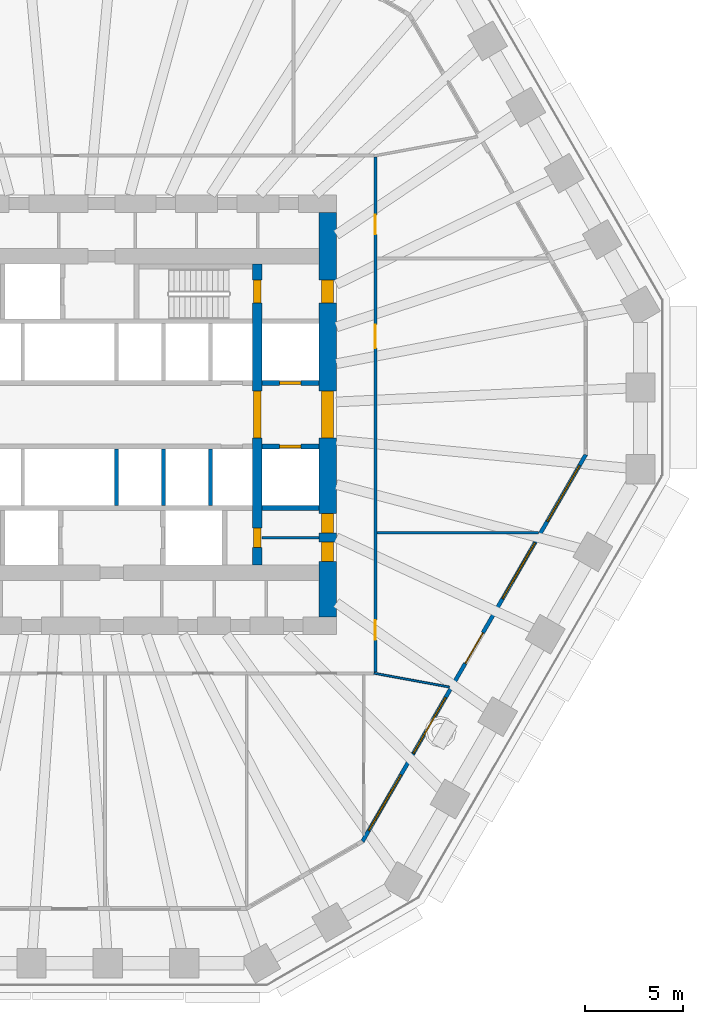
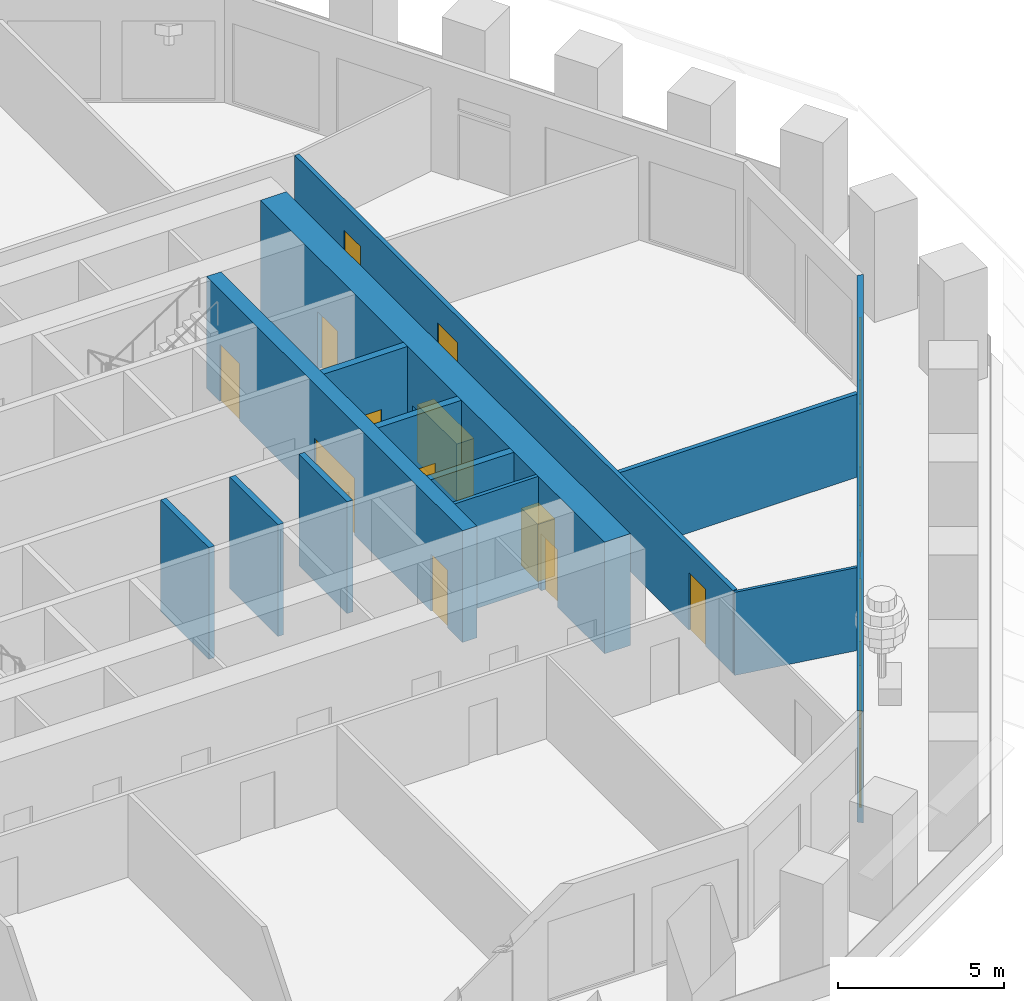
# One storey, part 5 of 12: 13 doors, 13 walls, 5 windows, 18 openings.
"""IFC4 building model written with IfcOpenShell, lengths in metres."""

import ifcopenshell
import ifcopenshell.guid

model = None  # the IFC model being written
_history = None  # IfcOwnerHistory: only IFC2X3 demands one
_inside = {}  # id of a spatial element -> (the spatial element, [elements in it])
_under = {}  # id of a project, library or spatial element -> (it, [spatial elements below it])
_declared = {}  # id of a project -> (the project, [libraries it declares])
_typed = {}  # id of a type object -> (the type object, [elements of that type])
_made_of = {}  # id of a material, layer set ... -> (it, [elements and type objects made of it])


def new_model(schema):
    """Start an empty IFC model of exactly this schema.

    Asked for "IFC4X3", IfcOpenShell would pick the latest addendum, in which some entities
    have other attributes; the version numbers below select the first issue.
    IFC2X3 requires an IfcOwnerHistory on every rooted entity: one is made here for all.
    """
    global model, _history
    if schema == "IFC4X3":
        model = ifcopenshell.file(schema_version=(4, 3, 0, 0))
    else:
        model = ifcopenshell.file(schema=schema)
    _inside.clear()
    _under.clear()
    _declared.clear()
    _typed.clear()
    _made_of.clear()
    _history = None
    if model.schema == "IFC2X3":
        org = make("IfcOrganization", Name="unknown")
        user = make(
            "IfcPersonAndOrganization",
            ThePerson=make("IfcPerson", FamilyName="unknown"),
            TheOrganization=org,
        )
        app = make(
            "IfcApplication",
            ApplicationDeveloper=org,
            Version="unknown",
            ApplicationFullName="unknown",
            ApplicationIdentifier="unknown",
        )
        _history = make(
            "IfcOwnerHistory",
            OwningUser=user,
            OwningApplication=app,
            ChangeAction="ADDED",
            CreationDate=0,
        )
    return model


def make(cls, **values):
    """One entity of the class cls with the attributes given. An attribute that is None is left unset."""
    return model.create_entity(
        cls, **{name: value for name, value in values.items() if value is not None}
    )


def rooted(cls, **values):
    """An entity with a GlobalId (a new one), such as an element, a storey or a relation."""
    return make(cls, GlobalId=ifcopenshell.guid.new(), OwnerHistory=_history, **values)


def si_unit(unit_type, name, prefix=None):
    """IfcSIUnit, for example si_unit("LENGTHUNIT", "METRE", prefix="MILLI")."""
    return make("IfcSIUnit", UnitType=unit_type, Prefix=prefix, Name=name)


def assignment(units):
    """IfcUnitAssignment: the units of a project."""
    return None if units is None else make("IfcUnitAssignment", Units=units)


def point(xyz):
    """IfcCartesianPoint."""
    return None if xyz is None else make("IfcCartesianPoint", Coordinates=xyz)


def direction(xyz):
    """IfcDirection."""
    return None if xyz is None else make("IfcDirection", DirectionRatios=xyz)


def frame(location, z_axis=None, x_axis=None):
    """IfcAxis2Placement3D, a coordinate frame: its origin and axes. An axis left out is left unset."""
    return make(
        "IfcAxis2Placement3D",
        Location=point(location),
        Axis=direction(z_axis),
        RefDirection=direction(x_axis),
    )


def frame_2d(location, x_axis=None):
    """IfcAxis2Placement2D, a coordinate frame in the plane: its origin and x axis."""
    return make(
        "IfcAxis2Placement2D", Location=point(location), RefDirection=direction(x_axis)
    )


def origin():
    """The frame at (0, 0, 0) with its axes left unset."""
    return frame((0.0, 0.0, 0.0))


def place(relative_to, where):
    """IfcLocalPlacement: puts the frame where relative to a parent placement (None: the world)."""
    return make(
        "IfcLocalPlacement", PlacementRelTo=relative_to, RelativePlacement=where
    )


def context(
    kind, dimensions, precision=None, world=None, true_north=None, identifier=None
):
    """IfcGeometricRepresentationContext, for example the 3D "Model" context."""
    return make(
        "IfcGeometricRepresentationContext",
        ContextIdentifier=identifier,
        ContextType=kind,
        CoordinateSpaceDimension=dimensions,
        Precision=precision,
        WorldCoordinateSystem=world,
        TrueNorth=true_north,
    )


def subcontext(parent, identifier, kind, view, scale=None):
    """IfcGeometricRepresentationSubContext, for example "Body" below "Model"."""
    return make(
        "IfcGeometricRepresentationSubContext",
        ContextIdentifier=identifier,
        ContextType=kind,
        ParentContext=parent,
        TargetScale=scale,
        TargetView=view,
    )


def project(units=None, contexts=None):
    """IfcProject with its units and contexts."""
    return rooted(
        "IfcProject",
        Name="project",
        RepresentationContexts=contexts,
        UnitsInContext=assignment(units),
    )


def spatial(cls, under=None, at=None, **own):
    """A site, building, storey or space (cls), placed at a placement, below another one or the project."""
    s = rooted(cls, ObjectPlacement=at, **own)
    if under is not None:
        _under.setdefault(under.id(), (under, []))[1].append(s)
    return s


def polyline(points):
    """IfcPolyline through the points."""
    return make("IfcPolyline", Points=[point(p) for p in points])


def profile(cls, at=None, kind="AREA", **sizes):
    """A parametric profile (cls). Its sizes go by their IFC names, for example OverallWidth=200.0."""
    return make(cls, ProfileType=kind, Position=at, **sizes)


def rectangle(**sizes):
    """IfcRectangleProfileDef."""
    return profile("IfcRectangleProfileDef", **sizes)


def outline(outer, holes=None, kind="AREA"):
    """IfcArbitraryClosedProfileDef: a profile drawn as a closed curve; with holes, ...WithVoids."""
    if holes is None:
        return make("IfcArbitraryClosedProfileDef", ProfileType=kind, OuterCurve=outer)
    return make(
        "IfcArbitraryProfileDefWithVoids",
        ProfileType=kind,
        OuterCurve=outer,
        InnerCurves=holes,
    )


def extrude(swept, where, along, depth):
    """IfcExtrudedAreaSolid: the profile swept, set in the frame where, extruded along a direction by depth."""
    return make(
        "IfcExtrudedAreaSolid",
        SweptArea=swept,
        Position=where,
        ExtrudedDirection=direction(along),
        Depth=depth,
    )


def shape(context_of_items, identifier, shape_type, items):
    """IfcShapeRepresentation: the items that make up one representation, for example the "Body"."""
    return make(
        "IfcShapeRepresentation",
        ContextOfItems=context_of_items,
        RepresentationIdentifier=identifier,
        RepresentationType=shape_type,
        Items=items,
    )


def material(Name=None, Category=None):
    """IfcMaterial."""
    return make("IfcMaterial", Name=Name, Category=Category)


def layer(
    of_material, thickness, ventilated=None, Name=None, Category=None, Priority=None
):
    """IfcMaterialLayer: one layer of a wall or slab, of a material (None: an air gap)."""
    return make(
        "IfcMaterialLayer",
        Material=of_material,
        LayerThickness=thickness,
        IsVentilated=ventilated,
        Name=Name,
        Category=Category,
        Priority=Priority,
    )


def layer_set(layers, Name=None):
    """IfcMaterialLayerSet."""
    return make("IfcMaterialLayerSet", MaterialLayers=layers, LayerSetName=Name)


def made_of(thing, what):
    """Note that an element or type object is made of a material, layer set ...; save() writes the relation."""
    if what is not None:
        _made_of.setdefault(what.id(), (what, []))[1].append(thing)
    return thing


def type_object(cls, material=None, **own):
    """A type object (cls), such as IfcWallType, which elements share."""
    return made_of(rooted(cls, **own), material)


def element(
    cls,
    number,
    at=None,
    inside=None,
    cuts=None,
    type_object=None,
    material=None,
    context=None,
    identifier="Body",
    shape_type=None,
    held_by="IfcProductDefinitionShape",
    body=None,
    shapes=None,
    **own,
):
    """One element of the class cls, such as IfcWall. Its Tag is "e" and its number.

    at: its placement. inside: the storey or other place that contains it. cuts: it is an
    opening in that element (IfcRelVoidsElement). A single representation is given by context,
    identifier, shape_type and body (its items); several are given by shapes. held_by: the class
    of the entity that holds the representations. save() writes the other relations.
    """
    e = rooted(cls, Tag="e%d" % number, ObjectPlacement=at, **own)
    if body is not None:
        shapes = [shape(context, identifier, shape_type, body)]
    if shapes is not None:
        e.Representation = make(held_by, Representations=shapes)
    if inside is not None:
        _inside.setdefault(inside.id(), (inside, []))[1].append(e)
    if cuts is not None:
        rooted(
            "IfcRelVoidsElement", RelatingBuildingElement=cuts, RelatedOpeningElement=e
        )
    if type_object is not None:
        _typed.setdefault(type_object.id(), (type_object, []))[1].append(e)
    return made_of(e, material)


def fill(opening, filler):
    """IfcRelFillsElement: the door or window that sits in an opening."""
    return rooted(
        "IfcRelFillsElement",
        RelatingOpeningElement=opening,
        RelatedBuildingElement=filler,
    )


def aggregate(whole, parts):
    """IfcRelAggregates: a whole, such as a stair, and the parts it consists of."""
    return rooted("IfcRelAggregates", RelatingObject=whole, RelatedObjects=parts)


def save(model, path):
    """Write the relations noted so far, then the file.

    IfcRelAggregates (storeys below a building ...), IfcRelContainedInSpatialStructure (elements
    in a storey), IfcRelDefinesByType, IfcRelAssociatesMaterial and IfcRelDeclares: one each for
    every whole, place, type object, material and project.
    """
    for whole, parts in _under.values():
        aggregate(whole, parts)
    for where, things in _inside.values():
        rooted(
            "IfcRelContainedInSpatialStructure",
            RelatedElements=things,
            RelatingStructure=where,
        )
    for kind, things in _typed.values():
        rooted("IfcRelDefinesByType", RelatedObjects=things, RelatingType=kind)
    for what, things in _made_of.values():
        rooted("IfcRelAssociatesMaterial", RelatedObjects=things, RelatingMaterial=what)
    for by, libraries in _declared.values():
        rooted("IfcRelDeclares", RelatingContext=by, RelatedDefinitions=libraries)
    model.write(path)


model = new_model("IFC4")

# Units and contexts
model_context = context("Model", 3, precision=1e-05, world=origin(), true_north=direction((0.0, 1.0)))
body_context = subcontext(model_context, "Body", "Model", "MODEL_VIEW")
ifc_project = project(units=[si_unit("LENGTHUNIT", "METRE"), si_unit("AREAUNIT", "SQUARE_METRE"), si_unit("VOLUMEUNIT", "CUBIC_METRE"), si_unit("PLANEANGLEUNIT", "RADIAN"), si_unit("MASSUNIT", "GRAM", prefix="KILO")], contexts=[model_context])

# Site, building, storey
site_placement = place(None, origin())
site = spatial("IfcSite", under=ifc_project, at=site_placement, CompositionType="ELEMENT")
building_placement = place(site_placement, origin())
building = spatial("IfcBuilding", under=site, at=building_placement, Name="Frailejon Research Tower", CompositionType="ELEMENT")
storey_placement = place(building_placement, frame((0.0, 0.0, 58.60009765625)))
storey = spatial("IfcBuildingStorey", under=building, at=storey_placement, Name="L13", CompositionType="ELEMENT", Elevation=58.60009765625)

# Wall
ifc_material_1 = material(Name="Plasterboard on steel studs", Category="steel")
ifc_layer_1 = layer(ifc_material_1, 0.125)
ifc_layer_set_1 = layer_set([ifc_layer_1], Name="Core partition 125")
wall_type_1 = type_object("IfcWallType", Name="Core partition 125", PredefinedType="PARTITIONING", material=ifc_layer_set_1)
wall_1_placement = place(storey_placement, frame((9.85009765625, -6.300048828125, 0.0), z_axis=(0.0, 0.0, 1.0), x_axis=(1.0, 0.0, 0.0)))
element("IfcWall", 1, at=wall_1_placement, inside=storey, type_object=wall_type_1, Name="Core partition", PredefinedType="PARTITIONING", context=body_context, shape_type="SweptSolid", body=[
    extrude(rectangle(XDim=2.89990234375, YDim=0.125, at=frame_2d((1.449951171875, 0.0))), origin(), (0.0, 0.0, 1.0), 4.099853515625),
])

# Wall, openings, doors
ifc_material_2 = material(Name="Concrete C70/85", Category="concrete")
ifc_layer_2 = layer(ifc_material_2, 0.5)
ifc_layer_set_2 = layer_set([ifc_layer_2], Name="Core shear wall 500 C70/85")
wall_type_2 = type_object("IfcWallType", Name="Core shear wall 500 C70/85", PredefinedType="SHEAR", material=ifc_layer_set_2)
wall_2_placement = place(storey_placement, frame((9.60009765625, -7.699951171875, 0.0), z_axis=(0.0, 0.0, 1.0), x_axis=(0.0, 1.0, 0.0)))
wall_2 = element("IfcWall", 2, at=wall_2_placement, inside=storey, type_object=wall_type_2, Name="Core shear wall", PredefinedType="SHEAR", context=body_context, shape_type="SweptSolid", body=[
    extrude(rectangle(XDim=15.39990234375, YDim=0.5, at=frame_2d((7.699951171875, 0.0))), origin(), (0.0, 0.0, 1.0), 4.099853515625),
])
opening_1_placement = place(wall_2_placement, frame((6.5, 0.0, 0.0)))
opening_1 = element("IfcOpeningElement", 3, at=opening_1_placement, cuts=wall_2, Name="Opening D2", PredefinedType="OPENING", context=body_context, shape_type="SweptSolid", body=[
    extrude(rectangle(XDim=2.39990234375, YDim=2.10009765625, at=frame_2d((1.199951171875, 1.050048828125))), frame((0.0, 0.260009765625, 0.0), z_axis=(0.0, -1.0, 0.0), x_axis=(1.0, 0.0, 0.0)), (0.0, 0.0, 1.0), 0.52001953125),
])
opening_2_placement = place(wall_2_placement, frame((13.39990234375, 0.0, 0.0)))
opening_2 = element("IfcOpeningElement", 4, at=opening_2_placement, cuts=wall_2, Name="Opening D1", PredefinedType="OPENING", context=body_context, shape_type="SweptSolid", body=[
    extrude(rectangle(XDim=1.199951171875, YDim=2.10009765625, at=frame_2d((0.60009765625, 1.050048828125))), frame((0.0, 0.260009765625, 0.0), z_axis=(0.0, -1.0, 0.0), x_axis=(1.0, 0.0, 0.0)), (0.0, 0.0, 1.0), 0.52001953125),
])
opening_3_placement = place(wall_2_placement, frame((0.89990234375, 0.0, 0.0)))
opening_3 = element("IfcOpeningElement", 5, at=opening_3_placement, cuts=wall_2, Name="Opening D4", PredefinedType="OPENING", context=body_context, shape_type="SweptSolid", body=[
    extrude(rectangle(XDim=1.0, YDim=2.10009765625, at=frame_2d((0.5, 1.050048828125))), frame((0.0, 0.260009765625, 0.0), z_axis=(0.0, -1.0, 0.0), x_axis=(1.0, 0.0, 0.0)), (0.0, 0.0, 1.0), 0.52001953125),
])
ifc_material_3 = material(Name="Steel", Category="steel")
door_type_1 = type_object("IfcDoorType", Name="Lobby double door", OperationType="DOUBLE_DOOR_SINGLE_SWING", PredefinedType="DOOR", material=ifc_material_3)
door_1_placement = place(opening_1_placement, origin())
door_1 = element("IfcDoor", 6, at=door_1_placement, inside=storey, type_object=door_type_1, Name="Lobby door", OperationType="DOUBLE_DOOR_SINGLE_SWING", OverallHeight=2.10009765625, OverallWidth=2.39990234375, PredefinedType="DOOR", context=body_context, shape_type="SweptSolid", body=[
    extrude(rectangle(XDim=2.39990234375, YDim=2.10009765625, at=frame_2d((1.199951171875, 1.050048828125))), frame((0.0, 0.199951171875, 0.0), z_axis=(0.0, -1.0, 0.0), x_axis=(1.0, 0.0, 0.0)), (0.0, 0.0, 1.0), 0.39990234375),
])
fill(opening_1, door_1)
ifc_material_4 = material(Name="Steel", Category="steel")
door_type_2 = type_object("IfcDoorType", Name="Service door", OperationType="SINGLE_SWING_LEFT", PredefinedType="DOOR", material=ifc_material_4)
door_2_placement = place(opening_3_placement, origin())
door_2 = element("IfcDoor", 7, at=door_2_placement, inside=storey, type_object=door_type_2, Name="Riser door", OperationType="SINGLE_SWING_LEFT", OverallHeight=2.10009765625, OverallWidth=1.0, PredefinedType="DOOR", context=body_context, shape_type="SweptSolid", body=[
    extrude(rectangle(XDim=1.0, YDim=2.10009765625, at=frame_2d((0.5, 1.050048828125))), frame((0.0, 0.199951171875, 0.0), z_axis=(0.0, -1.0, 0.0), x_axis=(1.0, 0.0, 0.0)), (0.0, 0.0, 1.0), 0.39990234375),
])
fill(opening_3, door_2)
ifc_material_5 = material(Name="Steel", Category="steel")
door_type_3 = type_object("IfcDoorType", Name="Stair door", OperationType="SINGLE_SWING_LEFT", PredefinedType="DOOR", material=ifc_material_5)
door_3_placement = place(opening_2_placement, origin())
door_3 = element("IfcDoor", 8, at=door_3_placement, inside=storey, type_object=door_type_3, Name="Stair door ST3", OperationType="SINGLE_SWING_LEFT", OverallHeight=2.10009765625, OverallWidth=1.199951171875, PredefinedType="DOOR", context=body_context, shape_type="SweptSolid", body=[
    extrude(rectangle(XDim=1.199951171875, YDim=2.10009765625, at=frame_2d((0.60009765625, 1.050048828125))), frame((0.0, 0.199951171875, 0.0), z_axis=(0.0, -1.0, 0.0), x_axis=(1.0, 0.0, 0.0)), (0.0, 0.0, 1.0), 0.39990234375),
])
fill(opening_2, door_3)

ifc_material_6 = material(Name="Concrete C70/85", Category="concrete")
ifc_layer_3 = layer(ifc_material_6, 0.89990234375)
ifc_layer_set_3 = layer_set([ifc_layer_3], Name="Core shear wall 900 C70/85")
wall_type_3 = type_object("IfcWallType", Name="Core shear wall 900 C70/85", PredefinedType="SHEAR", material=ifc_layer_set_3)
wall_3_placement = place(storey_placement, frame((13.199951171875, -10.35009765625, 0.0), z_axis=(0.0, 0.0, 1.0), x_axis=(0.0, 1.0, 0.0)))
wall_3 = element("IfcWall", 9, at=wall_3_placement, inside=storey, type_object=wall_type_3, Name="Core shear wall", PredefinedType="SHEAR", context=body_context, shape_type="SweptSolid", body=[
    extrude(rectangle(XDim=20.7001953125, YDim=0.89990234375, at=frame_2d((10.35009765625, 0.0))), origin(), (0.0, 0.0, 1.0), 4.099853515625),
])
opening_4_placement = place(wall_3_placement, frame((9.14990234375, 0.0, 0.0)))
opening_4 = element("IfcOpeningElement", 10, at=opening_4_placement, cuts=wall_3, Name="Opening D2", PredefinedType="OPENING", context=body_context, shape_type="SweptSolid", body=[
    extrude(rectangle(XDim=2.39990234375, YDim=2.10009765625, at=frame_2d((1.199951171875, 1.050048828125))), frame((0.0, 0.4599609375, 0.0), z_axis=(0.0, -1.0, 0.0), x_axis=(1.0, 0.0, 0.0)), (0.0, 0.0, 1.0), 0.919921875),
])
opening_5_placement = place(wall_3_placement, frame((16.050048828125, 0.0, 0.0)))
opening_5 = element("IfcOpeningElement", 11, at=opening_5_placement, cuts=wall_3, Name="Opening D7", PredefinedType="OPENING", context=body_context, shape_type="SweptSolid", body=[
    extrude(rectangle(XDim=1.199951171875, YDim=2.10009765625, at=frame_2d((0.60009765625, 1.050048828125))), frame((0.0, 0.4599609375, 0.0), z_axis=(0.0, -1.0, 0.0), x_axis=(1.0, 0.0, 0.0)), (0.0, 0.0, 1.0), 0.919921875),
])
opening_6_placement = place(wall_3_placement, frame((2.81884765625, 0.0, 0.0)))
opening_6 = element("IfcOpeningElement", 12, at=opening_6_placement, cuts=wall_3, Name="Opening D4", PredefinedType="OPENING", context=body_context, shape_type="SweptSolid", body=[
    extrude(rectangle(XDim=1.0, YDim=2.10009765625, at=frame_2d((0.5, 1.050048828125))), frame((0.0, 0.4599609375, 0.0), z_axis=(0.0, -1.0, 0.0), x_axis=(1.0, 0.0, 0.0)), (0.0, 0.0, 1.0), 0.919921875),
])
opening_7_placement = place(wall_3_placement, frame((4.28125, 0.0, 0.0)))
opening_7 = element("IfcOpeningElement", 13, at=opening_7_placement, cuts=wall_3, Name="Opening D4", PredefinedType="OPENING", context=body_context, shape_type="SweptSolid", body=[
    extrude(rectangle(XDim=1.0, YDim=2.10009765625, at=frame_2d((0.5, 1.050048828125))), frame((0.0, 0.4599609375, 0.0), z_axis=(0.0, -1.0, 0.0), x_axis=(1.0, 0.0, 0.0)), (0.0, 0.0, 1.0), 0.919921875),
])
door_4_placement = place(opening_4_placement, origin())
door_4 = element("IfcDoor", 14, at=door_4_placement, inside=storey, type_object=door_type_1, Name="Lobby door", OperationType="DOUBLE_DOOR_SINGLE_SWING", OverallHeight=2.10009765625, OverallWidth=2.39990234375, PredefinedType="DOOR", context=body_context, shape_type="SweptSolid", body=[
    extrude(rectangle(XDim=2.39990234375, YDim=2.10009765625, at=frame_2d((1.199951171875, 1.050048828125))), frame((0.0, 0.300048828125, 0.0), z_axis=(0.0, -1.0, 0.0), x_axis=(1.0, 0.0, 0.0)), (0.0, 0.0, 1.0), 0.60009765625),
])
fill(opening_4, door_4)
door_5_placement = place(opening_6_placement, origin())
door_5 = element("IfcDoor", 15, at=door_5_placement, inside=storey, type_object=door_type_2, Name="Store door", OperationType="SINGLE_SWING_RIGHT", OverallHeight=2.10009765625, OverallWidth=1.0, PredefinedType="DOOR", context=body_context, shape_type="SweptSolid", body=[
    extrude(rectangle(XDim=1.0, YDim=2.10009765625, at=frame_2d((0.5, 1.050048828125))), frame((0.0, 0.300048828125, 0.0), z_axis=(0.0, -1.0, 0.0), x_axis=(1.0, 0.0, 0.0)), (0.0, 0.0, 1.0), 0.60009765625),
])
fill(opening_6, door_5)
door_6_placement = place(opening_7_placement, origin())
door_6 = element("IfcDoor", 16, at=door_6_placement, inside=storey, type_object=door_type_2, Name="Store door", OperationType="SINGLE_SWING_LEFT", OverallHeight=2.10009765625, OverallWidth=1.0, PredefinedType="DOOR", context=body_context, shape_type="SweptSolid", body=[
    extrude(rectangle(XDim=1.0, YDim=2.10009765625, at=frame_2d((0.5, 1.050048828125))), frame((0.0, 0.300048828125, 0.0), z_axis=(0.0, -1.0, 0.0), x_axis=(1.0, 0.0, 0.0)), (0.0, 0.0, 1.0), 0.60009765625),
])
fill(opening_7, door_6)
ifc_material_7 = material(Name="Steel", Category="steel")
door_type_4 = type_object("IfcDoorType", Name="Stair exit door", OperationType="SINGLE_SWING_LEFT", PredefinedType="DOOR", material=ifc_material_7)
door_7_placement = place(opening_5_placement, origin())
door_7 = element("IfcDoor", 17, at=door_7_placement, inside=storey, type_object=door_type_4, Name="Stair exit door ST3", OperationType="SINGLE_SWING_RIGHT", OverallHeight=2.10009765625, OverallWidth=1.199951171875, PredefinedType="DOOR", context=body_context, shape_type="SweptSolid", body=[
    extrude(rectangle(XDim=1.199951171875, YDim=2.10009765625, at=frame_2d((0.60009765625, 1.050048828125))), frame((0.0, 0.300048828125, 0.0), z_axis=(0.0, -1.0, 0.0), x_axis=(1.0, 0.0, 0.0)), (0.0, 0.0, 1.0), 0.60009765625),
])
fill(opening_5, door_7)

ifc_material_8 = material(Name="Gypsum board and masonry partition", Category="masonry")
ifc_layer_4 = layer(ifc_material_8, 0.14990234375)
ifc_layer_set_4 = layer_set([ifc_layer_4], Name="Corridor wall EI 60, gypsum on steel studs 150")
wall_type_4 = type_object("IfcWallType", Name="Corridor wall EI 60, gypsum on steel studs 150", PredefinedType="PARTITIONING", material=ifc_layer_set_4)
wall_4_placement = place(storey_placement, frame((15.64990234375, -13.175048828125, 0.0), z_axis=(0.0, 0.0, 1.0), x_axis=(0.0, 1.0, 0.0)))
wall_4 = element("IfcWall", 18, at=wall_4_placement, inside=storey, type_object=wall_type_4, Name="T:IW:L13:001", PredefinedType="PARTITIONING", context=body_context, shape_type="SweptSolid", body=[
    extrude(rectangle(XDim=26.35009765625, YDim=0.14990234375, at=frame_2d((13.175048828125, 0.0))), origin(), (0.0, 0.0, 1.0), 3.0498046875),
])
opening_8_placement = place(wall_4_placement, frame((16.576416015625, 0.0, 0.0)))
opening_8 = element("IfcOpeningElement", 19, at=opening_8_placement, cuts=wall_4, Name="Opening D1435", PredefinedType="OPENING", context=body_context, shape_type="SweptSolid", body=[
    extrude(rectangle(XDim=1.199951171875, YDim=2.10009765625, at=frame_2d((0.60009765625, 1.050048828125))), frame((0.0, 0.0849609375, 0.0), z_axis=(0.0, -1.0, 0.0), x_axis=(1.0, 0.0, 0.0)), (0.0, 0.0, 1.0), 0.169921875),
])
opening_9_placement = place(wall_4_placement, frame((22.40087890625, 0.0, 0.0)))
opening_9 = element("IfcOpeningElement", 20, at=opening_9_placement, cuts=wall_4, Name="Opening D1436", PredefinedType="OPENING", context=body_context, shape_type="SweptSolid", body=[
    extrude(rectangle(XDim=1.0, YDim=2.10009765625, at=frame_2d((0.5, 1.050048828125))), frame((0.0, 0.0849609375, 0.0), z_axis=(0.0, -1.0, 0.0), x_axis=(1.0, 0.0, 0.0)), (0.0, 0.0, 1.0), 0.169921875),
])
opening_10_placement = place(wall_4_placement, frame((1.650390625, 0.0, 0.0)))
opening_10 = element("IfcOpeningElement", 21, at=opening_10_placement, cuts=wall_4, Name="Opening D1450", PredefinedType="OPENING", context=body_context, shape_type="SweptSolid", body=[
    extrude(rectangle(XDim=1.0, YDim=2.10009765625, at=frame_2d((0.5, 1.050048828125))), frame((0.0, 0.0849609375, 0.0), z_axis=(0.0, -1.0, 0.0), x_axis=(1.0, 0.0, 0.0)), (0.0, 0.0, 1.0), 0.169921875),
])
ifc_material_9 = material(Name="Timber door leaf", Category="wood")
door_type_5 = type_object("IfcDoorType", Name="Door laboratory, timber, vision panel 1200", OperationType="NOTDEFINED", PredefinedType="DOOR", material=ifc_material_9)
door_8_placement = place(opening_8_placement, origin())
door_8 = element("IfcDoor", 22, at=door_8_placement, inside=storey, type_object=door_type_5, Name="D1435", OperationType="DOUBLE_DOOR_SINGLE_SWING", OverallHeight=2.10009765625, OverallWidth=1.199951171875, PredefinedType="DOOR", context=body_context, shape_type="SweptSolid", body=[
    extrude(rectangle(XDim=1.199951171875, YDim=2.10009765625, at=frame_2d((0.60009765625, 1.050048828125))), frame((0.0, 0.02490234375, 0.0), z_axis=(0.0, -1.0, 0.0), x_axis=(1.0, 0.0, 0.0)), (0.0, 0.0, 1.0), 0.050048828125),
])
fill(opening_8, door_8)
ifc_material_10 = material(Name="Timber door leaf", Category="wood")
door_type_6 = type_object("IfcDoorType", Name="Door single leaf, timber, steel frame 1000", OperationType="NOTDEFINED", PredefinedType="DOOR", material=ifc_material_10)
door_9_placement = place(opening_9_placement, origin())
door_9 = element("IfcDoor", 23, at=door_9_placement, inside=storey, type_object=door_type_6, Name="D1436", OperationType="SINGLE_SWING_RIGHT", OverallHeight=2.10009765625, OverallWidth=1.0, PredefinedType="DOOR", context=body_context, shape_type="SweptSolid", body=[
    extrude(rectangle(XDim=1.0, YDim=2.10009765625, at=frame_2d((0.5, 1.050048828125))), frame((0.0, 0.02490234375, 0.0), z_axis=(0.0, -1.0, 0.0), x_axis=(1.0, 0.0, 0.0)), (0.0, 0.0, 1.0), 0.050048828125),
])
fill(opening_9, door_9)
door_10_placement = place(opening_10_placement, origin())
door_10 = element("IfcDoor", 24, at=door_10_placement, inside=storey, type_object=door_type_6, Name="D1450", OperationType="SINGLE_SWING_RIGHT", OverallHeight=2.10009765625, OverallWidth=1.0, PredefinedType="DOOR", context=body_context, shape_type="SweptSolid", body=[
    extrude(rectangle(XDim=1.0, YDim=2.10009765625, at=frame_2d((0.5, 1.050048828125))), frame((0.0, 0.02490234375, 0.0), z_axis=(0.0, -1.0, 0.0), x_axis=(1.0, 0.0, 0.0)), (0.0, 0.0, 1.0), 0.050048828125),
])
fill(opening_10, door_10)

# Walls
ifc_material_11 = material(Name="Gypsum board and masonry partition", Category="masonry")
ifc_layer_5 = layer(ifc_material_11, 0.14990234375)
ifc_layer_set_5 = layer_set([ifc_layer_5], Name="Laboratory partition, blockwork 150")
wall_type_5 = type_object("IfcWallType", Name="Laboratory partition, blockwork 150", PredefinedType="PARTITIONING", material=ifc_layer_set_5)
wall_5_placement = place(storey_placement, frame((15.72509765625, -6.048828125, 0.0), z_axis=(0.0, 0.0, 1.0), x_axis=(1.0, 0.0, 0.0)))
element("IfcWall", 25, at=wall_5_placement, inside=storey, type_object=wall_type_5, Name="T:IW:L13:006", PredefinedType="PARTITIONING", context=body_context, shape_type="SweptSolid", body=[
    extrude(rectangle(XDim=8.264404296875, YDim=0.14990234375, at=frame_2d((4.13232421875, 0.0))), origin(), (0.0, 0.0, 1.0), 3.0498046875),
])
ifc_material_12 = material(Name="Gypsum board and masonry partition", Category="masonry")
ifc_layer_6 = layer(ifc_material_12, 0.10009765625)
ifc_layer_set_6 = layer_set([ifc_layer_6], Name="Partition, gypsum on steel studs 100")
wall_type_6 = type_object("IfcWallType", Name="Partition, gypsum on steel studs 100", PredefinedType="PARTITIONING", material=ifc_layer_set_6)
wall_6_placement = place(storey_placement, frame((15.576171875, -13.236328125, 0.0), z_axis=(0.0, 0.0, 1.0), x_axis=(0.983499014775, -0.18091348191, 0.0)))
element("IfcWall", 26, at=wall_6_placement, inside=storey, type_object=wall_type_6, Name="T:IW:L13:020", PredefinedType="PARTITIONING", context=body_context, shape_type="SweptSolid", body=[
    extrude(rectangle(XDim=3.9189453125, YDim=0.10009765625, at=frame_2d((1.95947265625, 0.0))), origin(), (0.0, 0.0, 1.0), 3.0498046875),
])
ifc_material_13 = material(Name="Concrete C70/85", Category="concrete")
ifc_layer_7 = layer(ifc_material_13, 0.199951171875)
ifc_layer_set_7 = layer_set([ifc_layer_7], Name="Shaft wall 200 C70/85")
wall_type_7 = type_object("IfcWallType", Name="Shaft wall 200 C70/85", PredefinedType="SOLIDWALL", material=ifc_layer_set_7)
for number, where, z_axis, x_axis, name in (
    (27, (2.39990234375, -4.64990234375, 0.0), (0.0, 0.0, 1.0), (0.0, 1.0, 0.0), "Shaft wall"),
    (28, (4.800048828125, -4.64990234375, 0.0), (0.0, 0.0, 1.0), (0.0, 1.0, 0.0), "Shaft wall"),
    (29, (7.199951171875, -4.64990234375, 0.0), (0.0, 0.0, 1.0), (0.0, 1.0, 0.0), "Shaft wall"),
):
    element("IfcWall", number, at=place(storey_placement, frame(where, z_axis=z_axis, x_axis=x_axis)), inside=storey, type_object=wall_type_7, Name=name, PredefinedType="SOLIDWALL", context=body_context, shape_type="SweptSolid", body=[
        extrude(rectangle(XDim=2.89990234375, YDim=0.199951171875, at=frame_2d((1.449951171875, 0.0))), origin(), (0.0, 0.0, 1.0), 4.099853515625),
    ])

# Wall, opening, door
ifc_material_14 = material(Name="Concrete C70/85", Category="concrete")
ifc_layer_8 = layer(ifc_material_14, 0.25)
ifc_layer_set_8 = layer_set([ifc_layer_8], Name="Shaft wall 250 C70/85")
wall_type_8 = type_object("IfcWallType", Name="Shaft wall 250 C70/85", PredefinedType="SOLIDWALL", material=ifc_layer_set_8)
wall_7_placement = place(storey_placement, frame((9.85009765625, 1.625, 0.0), z_axis=(0.0, 0.0, 1.0), x_axis=(1.0, 0.0, 0.0)))
wall_7 = element("IfcWall", 30, at=wall_7_placement, inside=storey, type_object=wall_type_8, Name="Shaft wall", PredefinedType="SOLIDWALL", context=body_context, shape_type="SweptSolid", body=[
    extrude(rectangle(XDim=2.89990234375, YDim=0.25, at=frame_2d((1.449951171875, 0.0))), origin(), (0.0, 0.0, 1.0), 4.099853515625),
])
opening_11_placement = place(wall_7_placement, frame((0.89990234375, 0.0, 0.0)))
opening_11 = element("IfcOpeningElement", 31, at=opening_11_placement, cuts=wall_7, Name="Opening LD", PredefinedType="OPENING", context=body_context, shape_type="SweptSolid", body=[
    extrude(rectangle(XDim=1.10009765625, YDim=2.10009765625, at=frame_2d((0.550048828125, 1.050048828125))), frame((0.0, 0.135009765625, 0.0), z_axis=(0.0, -1.0, 0.0), x_axis=(1.0, 0.0, 0.0)), (0.0, 0.0, 1.0), 0.27001953125),
])
ifc_material_15 = material(Name="Steel", Category="steel")
door_type_7 = type_object("IfcDoorType", Name="Lift landing door", OperationType="DOUBLE_DOOR_SLIDING", PredefinedType="DOOR", material=ifc_material_15)
door_11_placement = place(opening_11_placement, origin())
door_11 = element("IfcDoor", 32, at=door_11_placement, inside=storey, type_object=door_type_7, Name="Lift landing door", OperationType="DOUBLE_DOOR_SLIDING", OverallHeight=2.10009765625, OverallWidth=1.10009765625, PredefinedType="DOOR", context=body_context, shape_type="SweptSolid", body=[
    extrude(rectangle(XDim=1.10009765625, YDim=2.10009765625, at=frame_2d((0.550048828125, 1.050048828125))), frame((0.0, 0.074951171875, 0.0), z_axis=(0.0, -1.0, 0.0), x_axis=(1.0, 0.0, 0.0)), (0.0, 0.0, 1.0), 0.14990234375),
])
fill(opening_11, door_11)

wall_8_placement = place(storey_placement, frame((9.85009765625, -1.625, 0.0), z_axis=(0.0, 0.0, 1.0), x_axis=(1.0, 0.0, 0.0)))
wall_8 = element("IfcWall", 33, at=wall_8_placement, inside=storey, type_object=wall_type_8, Name="Shaft wall", PredefinedType="SOLIDWALL", context=body_context, shape_type="SweptSolid", body=[
    extrude(rectangle(XDim=2.89990234375, YDim=0.25, at=frame_2d((1.449951171875, 0.0))), origin(), (0.0, 0.0, 1.0), 4.099853515625),
])
opening_12_placement = place(wall_8_placement, frame((0.89990234375, 0.0, 0.0)))
opening_12 = element("IfcOpeningElement", 34, at=opening_12_placement, cuts=wall_8, Name="Opening LD", PredefinedType="OPENING", context=body_context, shape_type="SweptSolid", body=[
    extrude(rectangle(XDim=1.10009765625, YDim=2.10009765625, at=frame_2d((0.550048828125, 1.050048828125))), frame((0.0, 0.135009765625, 0.0), z_axis=(0.0, -1.0, 0.0), x_axis=(1.0, 0.0, 0.0)), (0.0, 0.0, 1.0), 0.27001953125),
])
door_12_placement = place(opening_12_placement, origin())
door_12 = element("IfcDoor", 35, at=door_12_placement, inside=storey, type_object=door_type_7, Name="Lift landing door", OperationType="DOUBLE_DOOR_SLIDING", OverallHeight=2.10009765625, OverallWidth=1.10009765625, PredefinedType="DOOR", context=body_context, shape_type="SweptSolid", body=[
    extrude(rectangle(XDim=1.10009765625, YDim=2.10009765625, at=frame_2d((0.550048828125, 1.050048828125))), frame((0.0, 0.074951171875, 0.0), z_axis=(0.0, -1.0, 0.0), x_axis=(1.0, 0.0, 0.0)), (0.0, 0.0, 1.0), 0.14990234375),
])
fill(opening_12, door_12)

# Wall
wall_9_placement = place(storey_placement, frame((9.85009765625, -4.77490234375, 0.0), z_axis=(0.0, 0.0, 1.0), x_axis=(1.0, 0.0, 0.0)))
element("IfcWall", 36, at=wall_9_placement, inside=storey, type_object=wall_type_8, Name="Shaft wall", PredefinedType="SOLIDWALL", context=body_context, shape_type="SweptSolid", body=[
    extrude(rectangle(XDim=2.89990234375, YDim=0.25, at=frame_2d((1.449951171875, 0.0))), origin(), (0.0, 0.0, 1.0), 4.099853515625),
])

# Wall, openings, door, windows
ifc_material_16 = material(Name="Concrete C40/50 precast window wall panel", Category="concrete")
ifc_layer_9 = layer(ifc_material_16, 0.199951171875)
ifc_layer_set_9 = layer_set([ifc_layer_9], Name="Window wall 200")
wall_type_9 = type_object("IfcWallType", Name="Window wall 200", PredefinedType="SOLIDWALL", material=ifc_layer_set_9)
wall_10_placement = place(storey_placement, frame((14.98486328125, -21.845458984375, 0.0), z_axis=(0.0, 0.0, 1.0), x_axis=(0.50000204422, 0.86602422355, 0.0)))
wall_10 = element("IfcWall", 37, at=wall_10_placement, inside=storey, type_object=wall_type_9, Name="Exterior wall L13", PredefinedType="SOLIDWALL", context=body_context, shape_type="SweptSolid", body=[
    extrude(outline(polyline([(-0.02685546875, -0.10009765625), (1.014404296875, -0.10009765625), (2.055419921875, -0.10009765625), (3.0966796875, -0.10009765625), (4.137939453125, -0.10009765625), (5.17919921875, -0.10009765625), (6.22021484375, -0.10009765625), (7.261474609375, -0.10009765625), (8.302734375, -0.10009765625), (9.343994140625, -0.10009765625), (10.385009765625, -0.10009765625), (11.42626953125, -0.10009765625), (12.467529296875, -0.10009765625), (13.508544921875, -0.10009765625), (14.5498046875, -0.10009765625), (15.591064453125, -0.10009765625), (16.63232421875, -0.10009765625), (17.67333984375, -0.10009765625), (18.714599609375, -0.10009765625), (19.755859375, -0.10009765625), (20.797119140625, -0.10009765625), (21.838134765625, -0.10009765625), (22.87939453125, -0.10009765625), (22.82568359375, 0.10009765625), (21.789306640625, 0.10009765625), (20.753173828125, 0.10009765625), (19.716796875, 0.10009765625), (18.680419921875, 0.10009765625), (17.64404296875, 0.10009765625), (16.60791015625, 0.10009765625), (15.571533203125, 0.10009765625), (14.53515625, 0.10009765625), (13.498779296875, 0.10009765625), (12.462646484375, 0.10009765625), (11.42626953125, 0.10009765625), (10.389892578125, 0.10009765625), (9.353759765625, 0.10009765625), (8.3173828125, 0.10009765625), (7.281005859375, 0.10009765625), (6.24462890625, 0.10009765625), (5.20849609375, 0.10009765625), (4.172119140625, 0.10009765625), (3.1357421875, 0.10009765625), (2.099365234375, 0.10009765625), (1.063232421875, 0.10009765625), (0.02685546875, 0.10009765625), (-0.02685546875, -0.10009765625)])), origin(), (0.0, 0.0, 1.0), 4.099853515625),
])
opening_13_placement = place(wall_10_placement, frame((0.63525390625, 0.0, 0.10009765625)))
opening_13 = element("IfcOpeningElement", 38, at=opening_13_placement, cuts=wall_10, Name="Opening W5", PredefinedType="OPENING", context=body_context, shape_type="SweptSolid", body=[
    extrude(rectangle(XDim=3.300048828125, YDim=2.89990234375, at=frame_2d((1.64990234375, 1.449951171875))), frame((0.0, 0.10986328125, 0.0), z_axis=(0.0, -1.0, 0.0), x_axis=(1.0, 0.0, 0.0)), (0.0, 0.0, 1.0), 0.219970703125),
])
opening_14_placement = place(wall_10_placement, frame((5.205810546875, 0.0, 0.10009765625)))
opening_14 = element("IfcOpeningElement", 39, at=opening_14_placement, cuts=wall_10, Name="Opening W5", PredefinedType="OPENING", context=body_context, shape_type="SweptSolid", body=[
    extrude(rectangle(XDim=3.300048828125, YDim=2.89990234375, at=frame_2d((1.64990234375, 1.449951171875))), frame((0.0, 0.10986328125, 0.0), z_axis=(0.0, -1.0, 0.0), x_axis=(1.0, 0.0, 0.0)), (0.0, 0.0, 1.0), 0.219970703125),
])
opening_15_placement = place(wall_10_placement, frame((10.5263671875, 0.0, 0.0)))
opening_15 = element("IfcOpeningElement", 40, at=opening_15_placement, cuts=wall_10, Name="Opening LG13-6", PredefinedType="OPENING", context=body_context, shape_type="SweptSolid", body=[
    extrude(rectangle(XDim=1.800048828125, YDim=2.39990234375, at=frame_2d((0.89990234375, 1.199951171875))), frame((0.0, 0.10986328125, 0.0), z_axis=(0.0, -1.0, 0.0), x_axis=(1.0, 0.0, 0.0)), (0.0, 0.0, 1.0), 0.219970703125),
])
opening_16_placement = place(wall_10_placement, frame((10.5263671875, 0.0, 2.550048828125)))
opening_16 = element("IfcOpeningElement", 41, at=opening_16_placement, cuts=wall_10, Name="Opening W1", PredefinedType="OPENING", context=body_context, shape_type="SweptSolid", body=[
    extrude(rectangle(XDim=1.800048828125, YDim=0.449951171875, at=frame_2d((0.89990234375, 0.22509765625))), frame((0.0, 0.10986328125, 0.0), z_axis=(0.0, -1.0, 0.0), x_axis=(1.0, 0.0, 0.0)), (0.0, 0.0, 1.0), 0.219970703125),
])
opening_17_placement = place(wall_10_placement, frame((14.3466796875, 0.0, 0.10009765625)))
opening_17 = element("IfcOpeningElement", 42, at=opening_17_placement, cuts=wall_10, Name="Opening W5", PredefinedType="OPENING", context=body_context, shape_type="SweptSolid", body=[
    extrude(rectangle(XDim=3.300048828125, YDim=2.89990234375, at=frame_2d((1.64990234375, 1.449951171875))), frame((0.0, 0.10986328125, 0.0), z_axis=(0.0, -1.0, 0.0), x_axis=(1.0, 0.0, 0.0)), (0.0, 0.0, 1.0), 0.219970703125),
])
opening_18_placement = place(wall_10_placement, frame((18.917236328125, 0.0, 0.10009765625)))
opening_18 = element("IfcOpeningElement", 43, at=opening_18_placement, cuts=wall_10, Name="Opening W5", PredefinedType="OPENING", context=body_context, shape_type="SweptSolid", body=[
    extrude(rectangle(XDim=3.300048828125, YDim=2.89990234375, at=frame_2d((1.64990234375, 1.449951171875))), frame((0.0, 0.10986328125, 0.0), z_axis=(0.0, -1.0, 0.0), x_axis=(1.0, 0.0, 0.0)), (0.0, 0.0, 1.0), 0.219970703125),
])
ifc_material_17 = material(Name="Aluminium framed glazed door leaf", Category="aluminium")
door_type_8 = type_object("IfcDoorType", Name="Loggia door 1800x2400", OperationType="DOUBLE_DOOR_SINGLE_SWING", PredefinedType="DOOR", material=ifc_material_17)
door_13_placement = place(opening_15_placement, origin())
door_13 = element("IfcDoor", 44, at=door_13_placement, inside=storey, type_object=door_type_8, Name="Door LG13-6", OperationType="DOUBLE_DOOR_SINGLE_SWING", OverallHeight=2.39990234375, OverallWidth=1.800048828125, PredefinedType="DOOR", context=body_context, shape_type="SweptSolid", body=[
    extrude(rectangle(XDim=1.800048828125, YDim=2.39990234375, at=frame_2d((0.89990234375, 1.199951171875))), frame((0.0, 0.02490234375, 0.0), z_axis=(0.0, -1.0, 0.0), x_axis=(1.0, 0.0, 0.0)), (0.0, 0.0, 1.0), 0.050048828125),
])
fill(opening_15, door_13)
ifc_material_18 = material(Name="Aluminium framed double glazing", Category="aluminium")
window_type_1 = type_object("IfcWindowType", Name="Window 1800x450", PartitioningType="SINGLE_PANEL", PredefinedType="WINDOW", material=ifc_material_18)
window_1_placement = place(opening_16_placement, origin())
window_1 = element("IfcWindow", 45, at=window_1_placement, inside=storey, type_object=window_type_1, Name="Window L13", OverallHeight=0.449951171875, OverallWidth=1.800048828125, PartitioningType="SINGLE_PANEL", PredefinedType="WINDOW", context=body_context, shape_type="SweptSolid", body=[
    extrude(rectangle(XDim=1.800048828125, YDim=0.449951171875, at=frame_2d((0.89990234375, 0.22509765625))), frame((0.0, 0.030029296875, 0.0), z_axis=(0.0, -1.0, 0.0), x_axis=(1.0, 0.0, 0.0)), (0.0, 0.0, 1.0), 0.06005859375),
])
fill(opening_16, window_1)
ifc_material_19 = material(Name="Aluminium framed double glazing", Category="aluminium")
window_type_2 = type_object("IfcWindowType", Name="Window 3300x2900", PartitioningType="SINGLE_PANEL", PredefinedType="WINDOW", material=ifc_material_19)
window_2_placement = place(opening_13_placement, origin())
window_2 = element("IfcWindow", 46, at=window_2_placement, inside=storey, type_object=window_type_2, Name="Window L13", OverallHeight=2.89990234375, OverallWidth=3.300048828125, PartitioningType="SINGLE_PANEL", PredefinedType="WINDOW", context=body_context, shape_type="SweptSolid", body=[
    extrude(rectangle(XDim=3.300048828125, YDim=2.89990234375, at=frame_2d((1.64990234375, 1.449951171875))), frame((0.0, 0.030029296875, 0.0), z_axis=(0.0, -1.0, 0.0), x_axis=(1.0, 0.0, 0.0)), (0.0, 0.0, 1.0), 0.06005859375),
])
fill(opening_13, window_2)
window_3_placement = place(opening_14_placement, origin())
window_3 = element("IfcWindow", 47, at=window_3_placement, inside=storey, type_object=window_type_2, Name="Window L13", OverallHeight=2.89990234375, OverallWidth=3.300048828125, PartitioningType="SINGLE_PANEL", PredefinedType="WINDOW", context=body_context, shape_type="SweptSolid", body=[
    extrude(rectangle(XDim=3.300048828125, YDim=2.89990234375, at=frame_2d((1.64990234375, 1.449951171875))), frame((0.0, 0.030029296875, 0.0), z_axis=(0.0, -1.0, 0.0), x_axis=(1.0, 0.0, 0.0)), (0.0, 0.0, 1.0), 0.06005859375),
])
fill(opening_14, window_3)
window_4_placement = place(opening_17_placement, origin())
window_4 = element("IfcWindow", 48, at=window_4_placement, inside=storey, type_object=window_type_2, Name="Window L13", OverallHeight=2.89990234375, OverallWidth=3.300048828125, PartitioningType="SINGLE_PANEL", PredefinedType="WINDOW", context=body_context, shape_type="SweptSolid", body=[
    extrude(rectangle(XDim=3.300048828125, YDim=2.89990234375, at=frame_2d((1.64990234375, 1.449951171875))), frame((0.0, 0.030029296875, 0.0), z_axis=(0.0, -1.0, 0.0), x_axis=(1.0, 0.0, 0.0)), (0.0, 0.0, 1.0), 0.06005859375),
])
fill(opening_17, window_4)
window_5_placement = place(opening_18_placement, origin())
window_5 = element("IfcWindow", 49, at=window_5_placement, inside=storey, type_object=window_type_2, Name="Window L13", OverallHeight=2.89990234375, OverallWidth=3.300048828125, PartitioningType="SINGLE_PANEL", PredefinedType="WINDOW", context=body_context, shape_type="SweptSolid", body=[
    extrude(rectangle(XDim=3.300048828125, YDim=2.89990234375, at=frame_2d((1.64990234375, 1.449951171875))), frame((0.0, 0.030029296875, 0.0), z_axis=(0.0, -1.0, 0.0), x_axis=(1.0, 0.0, 0.0)), (0.0, 0.0, 1.0), 0.06005859375),
])
fill(opening_18, window_5)

save(model, "model.ifc")
